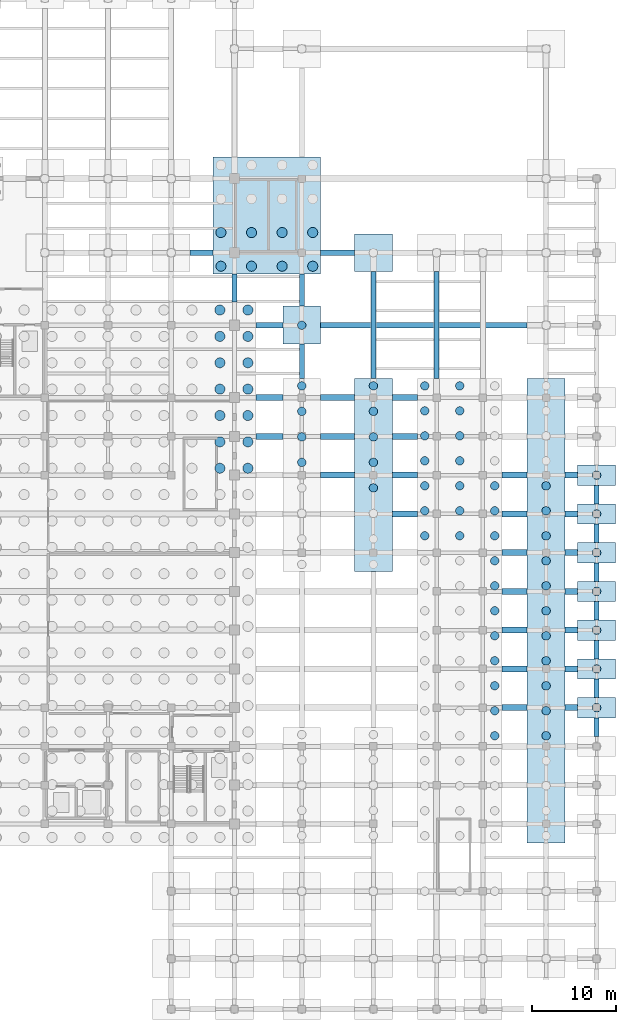
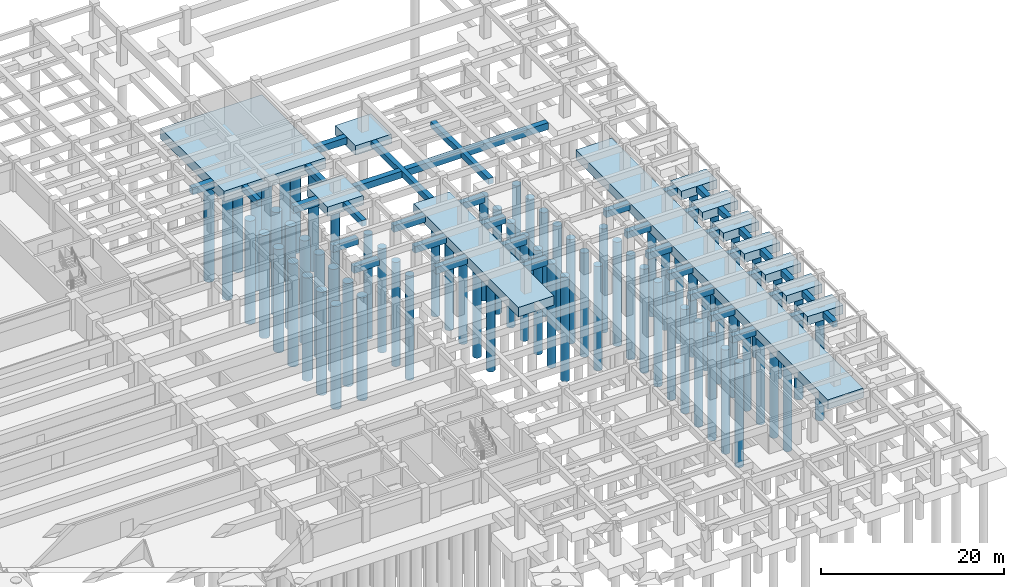
# One storey, part 9 of 32: 75 piles, 51 footings.
"""IFC4 building model written with IfcOpenShell, lengths in metres."""

import ifcopenshell
import ifcopenshell.guid

model = None  # the IFC model being written
_history = None  # IfcOwnerHistory: only IFC2X3 demands one
_inside = {}  # id of a spatial element -> (the spatial element, [elements in it])
_under = {}  # id of a project, library or spatial element -> (it, [spatial elements below it])
_declared = {}  # id of a project -> (the project, [libraries it declares])
_typed = {}  # id of a type object -> (the type object, [elements of that type])
_made_of = {}  # id of a material, layer set ... -> (it, [elements and type objects made of it])


def new_model(schema):
    """Start an empty IFC model of exactly this schema.

    Asked for "IFC4X3", IfcOpenShell would pick the latest addendum, in which some entities
    have other attributes; the version numbers below select the first issue.
    IFC2X3 requires an IfcOwnerHistory on every rooted entity: one is made here for all.
    """
    global model, _history
    if schema == "IFC4X3":
        model = ifcopenshell.file(schema_version=(4, 3, 0, 0))
    else:
        model = ifcopenshell.file(schema=schema)
    _inside.clear()
    _under.clear()
    _declared.clear()
    _typed.clear()
    _made_of.clear()
    _history = None
    if model.schema == "IFC2X3":
        org = make("IfcOrganization", Name="unknown")
        user = make(
            "IfcPersonAndOrganization",
            ThePerson=make("IfcPerson", FamilyName="unknown"),
            TheOrganization=org,
        )
        app = make(
            "IfcApplication",
            ApplicationDeveloper=org,
            Version="unknown",
            ApplicationFullName="unknown",
            ApplicationIdentifier="unknown",
        )
        _history = make(
            "IfcOwnerHistory",
            OwningUser=user,
            OwningApplication=app,
            ChangeAction="ADDED",
            CreationDate=0,
        )
    return model


def make(cls, **values):
    """One entity of the class cls with the attributes given. An attribute that is None is left unset."""
    return model.create_entity(
        cls, **{name: value for name, value in values.items() if value is not None}
    )


def rooted(cls, **values):
    """An entity with a GlobalId (a new one), such as an element, a storey or a relation."""
    return make(cls, GlobalId=ifcopenshell.guid.new(), OwnerHistory=_history, **values)


def si_unit(unit_type, name, prefix=None):
    """IfcSIUnit, for example si_unit("LENGTHUNIT", "METRE", prefix="MILLI")."""
    return make("IfcSIUnit", UnitType=unit_type, Prefix=prefix, Name=name)


def assignment(units):
    """IfcUnitAssignment: the units of a project."""
    return None if units is None else make("IfcUnitAssignment", Units=units)


def point(xyz):
    """IfcCartesianPoint."""
    return None if xyz is None else make("IfcCartesianPoint", Coordinates=xyz)


def direction(xyz):
    """IfcDirection."""
    return None if xyz is None else make("IfcDirection", DirectionRatios=xyz)


def frame(location, z_axis=None, x_axis=None):
    """IfcAxis2Placement3D, a coordinate frame: its origin and axes. An axis left out is left unset."""
    return make(
        "IfcAxis2Placement3D",
        Location=point(location),
        Axis=direction(z_axis),
        RefDirection=direction(x_axis),
    )


def frame_2d(location, x_axis=None):
    """IfcAxis2Placement2D, a coordinate frame in the plane: its origin and x axis."""
    return make(
        "IfcAxis2Placement2D", Location=point(location), RefDirection=direction(x_axis)
    )


def origin():
    """The frame at (0, 0, 0) with its axes left unset."""
    return frame((0.0, 0.0, 0.0))


def origin_2d():
    """The frame at (0, 0) in the plane with its x axis left unset."""
    return frame_2d((0.0, 0.0))


def place(relative_to, where):
    """IfcLocalPlacement: puts the frame where relative to a parent placement (None: the world)."""
    return make(
        "IfcLocalPlacement", PlacementRelTo=relative_to, RelativePlacement=where
    )


def context(
    kind, dimensions, precision=None, world=None, true_north=None, identifier=None
):
    """IfcGeometricRepresentationContext, for example the 3D "Model" context."""
    return make(
        "IfcGeometricRepresentationContext",
        ContextIdentifier=identifier,
        ContextType=kind,
        CoordinateSpaceDimension=dimensions,
        Precision=precision,
        WorldCoordinateSystem=world,
        TrueNorth=true_north,
    )


def subcontext(parent, identifier, kind, view, scale=None):
    """IfcGeometricRepresentationSubContext, for example "Body" below "Model"."""
    return make(
        "IfcGeometricRepresentationSubContext",
        ContextIdentifier=identifier,
        ContextType=kind,
        ParentContext=parent,
        TargetScale=scale,
        TargetView=view,
    )


def project(units=None, contexts=None):
    """IfcProject with its units and contexts."""
    return rooted(
        "IfcProject",
        Name="project",
        RepresentationContexts=contexts,
        UnitsInContext=assignment(units),
    )


def spatial(cls, under=None, at=None, **own):
    """A site, building, storey or space (cls), placed at a placement, below another one or the project."""
    s = rooted(cls, ObjectPlacement=at, **own)
    if under is not None:
        _under.setdefault(under.id(), (under, []))[1].append(s)
    return s


def profile(cls, at=None, kind="AREA", **sizes):
    """A parametric profile (cls). Its sizes go by their IFC names, for example OverallWidth=200.0."""
    return make(cls, ProfileType=kind, Position=at, **sizes)


def rectangle(**sizes):
    """IfcRectangleProfileDef."""
    return profile("IfcRectangleProfileDef", **sizes)


def circle(**sizes):
    """IfcCircleProfileDef."""
    return profile("IfcCircleProfileDef", **sizes)


def extrude(swept, where, along, depth):
    """IfcExtrudedAreaSolid: the profile swept, set in the frame where, extruded along a direction by depth."""
    return make(
        "IfcExtrudedAreaSolid",
        SweptArea=swept,
        Position=where,
        ExtrudedDirection=direction(along),
        Depth=depth,
    )


def shape(context_of_items, identifier, shape_type, items):
    """IfcShapeRepresentation: the items that make up one representation, for example the "Body"."""
    return make(
        "IfcShapeRepresentation",
        ContextOfItems=context_of_items,
        RepresentationIdentifier=identifier,
        RepresentationType=shape_type,
        Items=items,
    )


def material(Name=None, Category=None):
    """IfcMaterial."""
    return make("IfcMaterial", Name=Name, Category=Category)


def material_profile(
    of_material, cross_section, Name=None, Category=None, Priority=None
):
    """IfcMaterialProfile: a cross section and its material."""
    return make(
        "IfcMaterialProfile",
        Name=Name,
        Material=of_material,
        Profile=cross_section,
        Priority=Priority,
        Category=Category,
    )


def profile_set(profiles, Name=None, composite=None):
    """IfcMaterialProfileSet."""
    return make(
        "IfcMaterialProfileSet",
        Name=Name,
        MaterialProfiles=profiles,
        CompositeProfile=composite,
    )


def made_of(thing, what):
    """Note that an element or type object is made of a material, layer set ...; save() writes the relation."""
    if what is not None:
        _made_of.setdefault(what.id(), (what, []))[1].append(thing)
    return thing


def type_object(cls, material=None, **own):
    """A type object (cls), such as IfcWallType, which elements share."""
    return made_of(rooted(cls, **own), material)


def element(
    cls,
    number,
    at=None,
    inside=None,
    cuts=None,
    type_object=None,
    material=None,
    context=None,
    identifier="Body",
    shape_type=None,
    held_by="IfcProductDefinitionShape",
    body=None,
    shapes=None,
    **own,
):
    """One element of the class cls, such as IfcWall. Its Tag is "e" and its number.

    at: its placement. inside: the storey or other place that contains it. cuts: it is an
    opening in that element (IfcRelVoidsElement). A single representation is given by context,
    identifier, shape_type and body (its items); several are given by shapes. held_by: the class
    of the entity that holds the representations. save() writes the other relations.
    """
    e = rooted(cls, Tag="e%d" % number, ObjectPlacement=at, **own)
    if body is not None:
        shapes = [shape(context, identifier, shape_type, body)]
    if shapes is not None:
        e.Representation = make(held_by, Representations=shapes)
    if inside is not None:
        _inside.setdefault(inside.id(), (inside, []))[1].append(e)
    if cuts is not None:
        rooted(
            "IfcRelVoidsElement", RelatingBuildingElement=cuts, RelatedOpeningElement=e
        )
    if type_object is not None:
        _typed.setdefault(type_object.id(), (type_object, []))[1].append(e)
    return made_of(e, material)


def aggregate(whole, parts):
    """IfcRelAggregates: a whole, such as a stair, and the parts it consists of."""
    return rooted("IfcRelAggregates", RelatingObject=whole, RelatedObjects=parts)


def save(model, path):
    """Write the relations noted so far, then the file.

    IfcRelAggregates (storeys below a building ...), IfcRelContainedInSpatialStructure (elements
    in a storey), IfcRelDefinesByType, IfcRelAssociatesMaterial and IfcRelDeclares: one each for
    every whole, place, type object, material and project.
    """
    for whole, parts in _under.values():
        aggregate(whole, parts)
    for where, things in _inside.values():
        rooted(
            "IfcRelContainedInSpatialStructure",
            RelatedElements=things,
            RelatingStructure=where,
        )
    for kind, things in _typed.values():
        rooted("IfcRelDefinesByType", RelatedObjects=things, RelatingType=kind)
    for what, things in _made_of.values():
        rooted("IfcRelAssociatesMaterial", RelatedObjects=things, RelatingMaterial=what)
    for by, libraries in _declared.values():
        rooted("IfcRelDeclares", RelatingContext=by, RelatedDefinitions=libraries)
    model.write(path)


model = new_model("IFC4")

# Units and contexts
model_context = context("Model", 3, precision=1e-05, world=origin(), true_north=direction((0.0, 1.0)))
body_context = subcontext(model_context, "Body", "Model", "MODEL_VIEW")
ifc_project = project(units=[si_unit("LENGTHUNIT", "METRE"), si_unit("AREAUNIT", "SQUARE_METRE"), si_unit("VOLUMEUNIT", "CUBIC_METRE"), si_unit("PLANEANGLEUNIT", "RADIAN"), si_unit("MASSUNIT", "GRAM", prefix="KILO")], contexts=[model_context])

# Site, building, storey
site_placement = place(None, origin())
site = spatial("IfcSite", under=ifc_project, at=site_placement, CompositionType="ELEMENT")
building_placement = place(site_placement, origin())
building = spatial("IfcBuilding", under=site, at=building_placement, Name="Muzn Square Opera House", CompositionType="ELEMENT")
storey_placement = place(building_placement, frame((0.0, 0.0, -4.199951171875)))
storey = spatial("IfcBuildingStorey", under=building, at=storey_placement, Name="B1", CompositionType="ELEMENT", Elevation=-4.199951171875)

# Piles
ifc_material = material(Name="Concrete C40/50", Category="concrete")
ifc_material_profile_1 = material_profile(ifc_material, circle(Radius=0.5, at=origin_2d()), Name="BORED PILE D1000", Category="concrete")
ifc_profile_set_1 = profile_set([ifc_material_profile_1], Name="Concrete C40/50")
pile_type_1 = type_object("IfcPileType", Name="Bored Pile D1000", PredefinedType="BORED", material=ifc_profile_set_1)
for number, where, z_axis, x_axis, name in (
    (1, (155.60009765625, 56.199951171875, -1.570068359375), (0.0, 0.0, -1.0), (1.0, 0.0, 0.0), "Bored Pile BP-B1-BP-D1000-1556_562-624"),
    (2, (155.60009765625, 59.166748046875, -1.570068359375), (0.0, 0.0, -1.0), (1.0, 0.0, 0.0), "Bored Pile BP-B1-BP-D1000-1556_592-625"),
    (3, (155.60009765625, 62.13330078125, -1.570068359375), (0.0, 0.0, -1.0), (1.0, 0.0, 0.0), "Bored Pile BP-B1-BP-D1000-1556_621-626"),
    (4, (155.60009765625, 65.10009765625, -1.570068359375), (0.0, 0.0, -1.0), (1.0, 0.0, 0.0), "Bored Pile BP-B1-BP-D1000-1556_651-627"),
    (5, (155.60009765625, 68.066650390625, -1.570068359375), (0.0, 0.0, -1.0), (1.0, 0.0, 0.0), "Bored Pile BP-B1-BP-D1000-1556_681-628"),
    (6, (155.60009765625, 71.033203125, -1.570068359375), (0.0, 0.0, -1.0), (1.0, 0.0, 0.0), "Bored Pile BP-B1-BP-D1000-1556_710-629"),
    (7, (155.60009765625, 74.0, -1.570068359375), (0.0, 0.0, -1.0), (1.0, 0.0, 0.0), "Bored Pile BP-B1-BP-D1000-1556_740-630"),
    (8, (159.75, 56.199951171875, -1.570068359375), (0.0, 0.0, -1.0), (1.0, 0.0, 0.0), "Bored Pile BP-B1-BP-D1000-1598_562-643"),
    (9, (159.75, 59.166748046875, -1.570068359375), (0.0, 0.0, -1.0), (1.0, 0.0, 0.0), "Bored Pile BP-B1-BP-D1000-1598_592-644"),
    (10, (159.75, 62.13330078125, -1.570068359375), (0.0, 0.0, -1.0), (1.0, 0.0, 0.0), "Bored Pile BP-B1-BP-D1000-1598_621-645"),
    (11, (159.75, 65.10009765625, -1.570068359375), (0.0, 0.0, -1.0), (1.0, 0.0, 0.0), "Bored Pile BP-B1-BP-D1000-1598_651-646"),
    (12, (159.75, 68.066650390625, -1.570068359375), (0.0, 0.0, -1.0), (1.0, 0.0, 0.0), "Bored Pile BP-B1-BP-D1000-1598_681-647"),
    (13, (159.75, 71.033203125, -1.570068359375), (0.0, 0.0, -1.0), (1.0, 0.0, 0.0), "Bored Pile BP-B1-BP-D1000-1598_710-648"),
    (14, (159.75, 74.0, -1.570068359375), (0.0, 0.0, -1.0), (1.0, 0.0, 0.0), "Bored Pile BP-B1-BP-D1000-1598_740-649"),
    (15, (163.89990234375, 32.466796875, -1.570068359375), (0.0, 0.0, -1.0), (1.0, 0.0, 0.0), "Bored Pile BP-B1-BP-D1000-1639_325-654"),
    (16, (163.89990234375, 35.433349609375, -1.570068359375), (0.0, 0.0, -1.0), (1.0, 0.0, 0.0), "Bored Pile BP-B1-BP-D1000-1639_354-655"),
    (17, (163.89990234375, 38.39990234375, -1.570068359375), (0.0, 0.0, -1.0), (1.0, 0.0, 0.0), "Bored Pile BP-B1-BP-D1000-1639_384-656"),
    (18, (163.89990234375, 41.36669921875, -1.570068359375), (0.0, 0.0, -1.0), (1.0, 0.0, 0.0), "Bored Pile BP-B1-BP-D1000-1639_414-657"),
    (19, (163.89990234375, 44.333251953125, -1.570068359375), (0.0, 0.0, -1.0), (1.0, 0.0, 0.0), "Bored Pile BP-B1-BP-D1000-1639_443-658"),
    (20, (163.89990234375, 47.300048828125, -1.570068359375), (0.0, 0.0, -1.0), (1.0, 0.0, 0.0), "Bored Pile BP-B1-BP-D1000-1639_473-659"),
    (21, (163.89990234375, 50.2666015625, -1.570068359375), (0.0, 0.0, -1.0), (1.0, 0.0, 0.0), "Bored Pile BP-B1-BP-D1000-1639_503-660"),
    (22, (163.89990234375, 53.2333984375, -1.570068359375), (0.0, 0.0, -1.0), (1.0, 0.0, 0.0), "Bored Pile BP-B1-BP-D1000-1639_532-661"),
    (23, (163.89990234375, 56.199951171875, -1.570068359375), (0.0, 0.0, -1.0), (1.0, 0.0, 0.0), "Bored Pile BP-B1-BP-D1000-1639_562-662"),
    (24, (163.89990234375, 59.166748046875, -1.570068359375), (0.0, 0.0, -1.0), (1.0, 0.0, 0.0), "Bored Pile BP-B1-BP-D1000-1639_592-663"),
    (25, (163.89990234375, 62.13330078125, -1.570068359375), (0.0, 0.0, -1.0), (1.0, 0.0, 0.0), "Bored Pile BP-B1-BP-D1000-1639_621-664"),
    (26, (170.0, 32.466796875, -1.570068359375), (0.0, 0.0, -1.0), (1.0, 0.0, 0.0), "Bored Pile BP-B1-BP-D1000-1700_325-673"),
    (27, (170.0, 35.433349609375, -1.570068359375), (0.0, 0.0, -1.0), (1.0, 0.0, 0.0), "Bored Pile BP-B1-BP-D1000-1700_354-674"),
    (28, (170.0, 38.39990234375, -1.570068359375), (0.0, 0.0, -1.0), (1.0, 0.0, 0.0), "Bored Pile BP-B1-BP-D1000-1700_384-675"),
    (29, (170.0, 41.36669921875, -1.570068359375), (0.0, 0.0, -1.0), (1.0, 0.0, 0.0), "Bored Pile BP-B1-BP-D1000-1700_414-676"),
    (30, (170.0, 44.333251953125, -1.570068359375), (0.0, 0.0, -1.0), (1.0, 0.0, 0.0), "Bored Pile BP-B1-BP-D1000-1700_443-677"),
    (31, (170.0, 47.300048828125, -1.570068359375), (0.0, 0.0, -1.0), (1.0, 0.0, 0.0), "Bored Pile BP-B1-BP-D1000-1700_473-678"),
    (32, (170.0, 50.2666015625, -1.570068359375), (0.0, 0.0, -1.0), (1.0, 0.0, 0.0), "Bored Pile BP-B1-BP-D1000-1700_503-679"),
    (33, (170.0, 53.2333984375, -1.570068359375), (0.0, 0.0, -1.0), (1.0, 0.0, 0.0), "Bored Pile BP-B1-BP-D1000-1700_532-680"),
    (34, (170.0, 56.199951171875, -1.570068359375), (0.0, 0.0, -1.0), (1.0, 0.0, 0.0), "Bored Pile BP-B1-BP-D1000-1700_562-681"),
    (35, (170.0, 59.166748046875, -1.570068359375), (0.0, 0.0, -1.0), (1.0, 0.0, 0.0), "Bored Pile BP-B1-BP-D1000-1700_592-682"),
    (36, (170.0, 62.13330078125, -1.570068359375), (0.0, 0.0, -1.0), (1.0, 0.0, 0.0), "Bored Pile BP-B1-BP-D1000-1700_621-683"),
):
    element("IfcPile", number, at=place(storey_placement, frame(where, z_axis=z_axis, x_axis=x_axis)), inside=storey, type_object=pile_type_1, Name=name, PredefinedType="BORED", context=body_context, shape_type="SweptSolid", body=[
        extrude(circle(Radius=0.5, at=origin_2d()), origin(), (0.0, 0.0, 1.0), 13.929931640625),
    ])
for number, where, z_axis, x_axis, name in (
    (37, (176.0, 35.800048828125, -1.469970703125), (0.0, 0.0, -1.0), (1.0, 0.0, 0.0), "Bored Pile BP-B1-BP-D1000-1760_358-695"),
    (38, (176.0, 40.39990234375, -1.469970703125), (0.0, 0.0, -1.0), (1.0, 0.0, 0.0), "Bored Pile BP-B1-BP-D1000-1760_404-697"),
    (39, (176.0, 45.0, -1.469970703125), (0.0, 0.0, -1.0), (1.0, 0.0, 0.0), "Bored Pile BP-B1-BP-D1000-1760_450-699"),
    (40, (176.0, 49.60009765625, -1.469970703125), (0.0, 0.0, -1.0), (1.0, 0.0, 0.0), "Bored Pile BP-B1-BP-D1000-1760_496-701"),
):
    element("IfcPile", number, at=place(storey_placement, frame(where, z_axis=z_axis, x_axis=x_axis)), inside=storey, type_object=pile_type_1, Name=name, PredefinedType="BORED", context=body_context, shape_type="SweptSolid", body=[
        extrude(circle(Radius=0.5, at=origin_2d()), origin(), (0.0, 0.0, 1.0), 14.030029296875),
    ])
for number, where, z_axis, x_axis, name in (
    (41, (141.0, 64.914306640625, -1.570068359375), (0.0, 0.0, -1.0), (1.0, 0.0, 0.0), "Bored Pile BP-B1-BP-D1000-1410_649-722"),
    (42, (141.0, 67.94287109375, -1.570068359375), (0.0, 0.0, -1.0), (1.0, 0.0, 0.0), "Bored Pile BP-B1-BP-D1000-1410_679-723"),
    (43, (141.0, 70.971435546875, -1.570068359375), (0.0, 0.0, -1.0), (1.0, 0.0, 0.0), "Bored Pile BP-B1-BP-D1000-1410_710-724"),
    (44, (141.0, 74.0, -1.570068359375), (0.0, 0.0, -1.0), (1.0, 0.0, 0.0), "Bored Pile BP-B1-BP-D1000-1410_740-725"),
    (45, (149.5, 61.8857421875, -1.570068359375), (0.0, 0.0, -1.0), (1.0, 0.0, 0.0), "Bored Pile BP-B1-BP-D1000-1495_619-729"),
    (46, (149.5, 64.914306640625, -1.570068359375), (0.0, 0.0, -1.0), (1.0, 0.0, 0.0), "Bored Pile BP-B1-BP-D1000-1495_649-730"),
    (47, (149.5, 67.94287109375, -1.570068359375), (0.0, 0.0, -1.0), (1.0, 0.0, 0.0), "Bored Pile BP-B1-BP-D1000-1495_679-731"),
    (48, (149.5, 70.971435546875, -1.570068359375), (0.0, 0.0, -1.0), (1.0, 0.0, 0.0), "Bored Pile BP-B1-BP-D1000-1495_710-732"),
    (49, (149.5, 74.0, -1.570068359375), (0.0, 0.0, -1.0), (1.0, 0.0, 0.0), "Bored Pile BP-B1-BP-D1000-1495_740-733"),
):
    element("IfcPile", number, at=place(storey_placement, frame(where, z_axis=z_axis, x_axis=x_axis)), inside=storey, type_object=pile_type_1, Name=name, PredefinedType="BORED", context=body_context, shape_type="SweptSolid", body=[
        extrude(circle(Radius=0.5, at=origin_2d()), origin(), (0.0, 0.0, 1.0), 13.929931640625),
    ])
for number, where, z_axis, x_axis, name in (
    (50, (176.0, 54.199951171875, -1.469970703125), (0.0, 0.0, -1.0), (1.0, 0.0, 0.0), "Bored Pile BP-B1-BP-D1000-1760_542-735"),
    (51, (176.0, 58.800048828125, -1.469970703125), (0.0, 0.0, -1.0), (1.0, 0.0, 0.0), "Bored Pile BP-B1-BP-D1000-1760_588-737"),
    (52, (176.0, 63.39990234375, -1.469970703125), (0.0, 0.0, -1.0), (1.0, 0.0, 0.0), "Bored Pile BP-B1-BP-D1000-1760_634-739"),
):
    element("IfcPile", number, at=place(storey_placement, frame(where, z_axis=z_axis, x_axis=x_axis)), inside=storey, type_object=pile_type_1, Name=name, PredefinedType="BORED", context=body_context, shape_type="SweptSolid", body=[
        extrude(circle(Radius=0.5, at=origin_2d()), origin(), (0.0, 0.0, 1.0), 14.030029296875),
    ])
pile_placement = place(storey_placement, frame((141.0, 81.199951171875, -1.570068359375), z_axis=(0.0, 0.0, -1.0), x_axis=(1.0, 0.0, 0.0)))
element("IfcPile", 53, at=pile_placement, inside=storey, type_object=pile_type_1, Name="Bored Pile BP-B1-BP-D1000-1410_812-751", PredefinedType="BORED", context=body_context, shape_type="SweptSolid", body=[
    extrude(circle(Radius=0.5, at=origin_2d()), origin(), (0.0, 0.0, 1.0), 13.929931640625),
])
ifc_material_profile_2 = material_profile(ifc_material, circle(Radius=0.60009765625, at=origin_2d()), Name="BORED PILE D1200", Category="concrete")
ifc_profile_set_2 = profile_set([ifc_material_profile_2], Name="Concrete C40/50")
pile_type_2 = type_object("IfcPileType", Name="Bored Pile D1200", PredefinedType="BORED", material=ifc_profile_set_2)
for number, where, z_axis, x_axis, name in (
    (54, (131.280029296875, 64.219970703125, -1.719970703125), (0.0, 0.0, -1.0), (1.0, 0.0, 0.0), "Bored Pile BP-B1-BP-D1200-1313_642-485"),
    (55, (131.280029296875, 67.35009765625, -1.719970703125), (0.0, 0.0, -1.0), (1.0, 0.0, 0.0), "Bored Pile BP-B1-BP-D1200-1313_674-486"),
    (56, (131.280029296875, 70.47998046875, -1.719970703125), (0.0, 0.0, -1.0), (1.0, 0.0, 0.0), "Bored Pile BP-B1-BP-D1200-1313_705-487"),
    (57, (131.280029296875, 73.610107421875, -1.719970703125), (0.0, 0.0, -1.0), (1.0, 0.0, 0.0), "Bored Pile BP-B1-BP-D1200-1313_736-488"),
    (58, (131.280029296875, 76.739990234375, -1.719970703125), (0.0, 0.0, -1.0), (1.0, 0.0, 0.0), "Bored Pile BP-B1-BP-D1200-1313_767-489"),
    (59, (131.280029296875, 79.8701171875, -1.719970703125), (0.0, 0.0, -1.0), (1.0, 0.0, 0.0), "Bored Pile BP-B1-BP-D1200-1313_799-490"),
    (60, (131.280029296875, 83.0, -1.719970703125), (0.0, 0.0, -1.0), (1.0, 0.0, 0.0), "Bored Pile BP-B1-BP-D1200-1313_830-491"),
    (61, (134.60009765625, 64.219970703125, -1.719970703125), (0.0, 0.0, -1.0), (1.0, 0.0, 0.0), "Bored Pile BP-B1-BP-D1200-1346_642-506"),
    (62, (134.60009765625, 67.35009765625, -1.719970703125), (0.0, 0.0, -1.0), (1.0, 0.0, 0.0), "Bored Pile BP-B1-BP-D1200-1346_674-507"),
    (63, (134.60009765625, 70.47998046875, -1.719970703125), (0.0, 0.0, -1.0), (1.0, 0.0, 0.0), "Bored Pile BP-B1-BP-D1200-1346_705-508"),
    (64, (134.60009765625, 73.610107421875, -1.719970703125), (0.0, 0.0, -1.0), (1.0, 0.0, 0.0), "Bored Pile BP-B1-BP-D1200-1346_736-509"),
    (65, (134.60009765625, 76.739990234375, -1.719970703125), (0.0, 0.0, -1.0), (1.0, 0.0, 0.0), "Bored Pile BP-B1-BP-D1200-1346_767-510"),
    (66, (134.60009765625, 79.8701171875, -1.719970703125), (0.0, 0.0, -1.0), (1.0, 0.0, 0.0), "Bored Pile BP-B1-BP-D1200-1346_799-511"),
    (67, (134.60009765625, 83.0, -1.719970703125), (0.0, 0.0, -1.0), (1.0, 0.0, 0.0), "Bored Pile BP-B1-BP-D1200-1346_830-512"),
    (68, (131.39990234375, 88.199951171875, -1.719970703125), (0.0, 0.0, -1.0), (1.0, 0.0, 0.0), "Bored Pile BP-B1-BP-D1200-1314_882-759"),
    (69, (131.39990234375, 92.199951171875, -1.719970703125), (0.0, 0.0, -1.0), (1.0, 0.0, 0.0), "Bored Pile BP-B1-BP-D1200-1314_922-760"),
    (70, (135.033203125, 88.199951171875, -1.719970703125), (0.0, 0.0, -1.0), (1.0, 0.0, 0.0), "Bored Pile BP-B1-BP-D1200-1350_882-763"),
    (71, (135.033203125, 92.199951171875, -1.719970703125), (0.0, 0.0, -1.0), (1.0, 0.0, 0.0), "Bored Pile BP-B1-BP-D1200-1350_922-764"),
    (72, (138.666748046875, 88.199951171875, -1.719970703125), (0.0, 0.0, -1.0), (1.0, 0.0, 0.0), "Bored Pile BP-B1-BP-D1200-1387_882-767"),
    (73, (138.666748046875, 92.199951171875, -1.719970703125), (0.0, 0.0, -1.0), (1.0, 0.0, 0.0), "Bored Pile BP-B1-BP-D1200-1387_922-768"),
    (74, (142.300048828125, 88.199951171875, -1.719970703125), (0.0, 0.0, -1.0), (1.0, 0.0, 0.0), "Bored Pile BP-B1-BP-D1200-1423_882-771"),
    (75, (142.300048828125, 92.199951171875, -1.719970703125), (0.0, 0.0, -1.0), (1.0, 0.0, 0.0), "Bored Pile BP-B1-BP-D1200-1423_922-772"),
):
    element("IfcPile", number, at=place(storey_placement, frame(where, z_axis=z_axis, x_axis=x_axis)), inside=storey, type_object=pile_type_2, Name=name, PredefinedType="BORED", context=body_context, shape_type="SweptSolid", body=[
        extrude(circle(Radius=0.60009765625, at=origin_2d()), origin(), (0.0, 0.0, 1.0), 13.780029296875),
    ])

# Footings
ifc_material_profile_3 = material_profile(ifc_material, rectangle(XDim=0.60009765625, YDim=0.800048828125, at=origin_2d()), Name="RCTB 600x800", Category="concrete")
ifc_profile_set_3 = profile_set([ifc_material_profile_3], Name="Concrete C40/50")
footing_type_1 = type_object("IfcFootingType", Name="Foundation Tie Beam 600x800", PredefinedType="FOOTING_BEAM", material=ifc_profile_set_3)
footing_1_placement = place(storey_placement, frame((133.0, 83.949951171875, -0.820068359375), z_axis=(0.0, 1.0, 0.0), x_axis=(-1.0, 0.0, 0.0)))
element("IfcFooting", 76, at=footing_1_placement, inside=storey, type_object=footing_type_1, Name="Foundation Tie Beam FTB-Y310", PredefinedType="FOOTING_BEAM", context=body_context, shape_type="SweptSolid", body=[
    extrude(rectangle(XDim=0.60009765625, YDim=0.800048828125, at=origin_2d()), origin(), (0.0, 0.0, 1.0), 3.300048828125),
])
footing_2_placement = place(storey_placement, frame((141.0, 74.85009765625, -0.820068359375), z_axis=(0.0, 1.0, 0.0), x_axis=(-1.0, 0.0, 0.0)))
element("IfcFooting", 77, at=footing_2_placement, inside=storey, type_object=footing_type_1, Name="Foundation Tie Beam FTB-Y317", PredefinedType="FOOTING_BEAM", context=body_context, shape_type="SweptSolid", body=[
    extrude(rectangle(XDim=0.60009765625, YDim=0.800048828125, at=origin_2d()), origin(), (0.0, 0.0, 1.0), 4.099853515625),
])
footing_3_placement = place(storey_placement, frame((141.0, 83.449951171875, -0.820068359375), z_axis=(0.0, 1.0, 0.0), x_axis=(-1.0, 0.0, 0.0)))
element("IfcFooting", 78, at=footing_3_placement, inside=storey, type_object=footing_type_1, Name="Foundation Tie Beam FTB-Y318", PredefinedType="FOOTING_BEAM", context=body_context, shape_type="SweptSolid", body=[
    extrude(rectangle(XDim=0.60009765625, YDim=0.800048828125, at=origin_2d()), origin(), (0.0, 0.0, 1.0), 3.800048828125),
])
for number, where, z_axis, x_axis, name in (
    (79, (149.5, 74.85009765625, -0.820068359375), (0.0, 1.0, 0.0), (-1.0, 0.0, 0.0), "Foundation Tie Beam FTB-Y324"),
    (80, (157.0, 74.85009765625, -0.820068359375), (0.0, 1.0, 0.0), (-1.0, 0.0, 0.0), "Foundation Tie Beam FTB-Y328"),
):
    element("IfcFooting", number, at=place(storey_placement, frame(where, z_axis=z_axis, x_axis=x_axis)), inside=storey, type_object=footing_type_1, Name=name, PredefinedType="FOOTING_BEAM", context=body_context, shape_type="SweptSolid", body=[
        extrude(rectangle(XDim=0.60009765625, YDim=0.800048828125, at=origin_2d()), origin(), (0.0, 0.0, 1.0), 12.699951171875),
    ])
footing_4_placement = place(storey_placement, frame((176.0, 32.39990234375, -0.820068359375), z_axis=(0.0, 1.0, 0.0), x_axis=(-1.0, 0.0, 0.0)))
element("IfcFooting", 81, at=footing_4_placement, inside=storey, type_object=footing_type_1, Name="Foundation Tie Beam FTB-Y345", PredefinedType="FOOTING_BEAM", context=body_context, shape_type="SweptSolid", body=[
    extrude(rectangle(XDim=0.60009765625, YDim=0.800048828125, at=origin_2d()), origin(), (0.0, 0.0, 1.0), 2.2001953125),
])
for number, where, z_axis, x_axis, name in (
    (82, (176.0, 37.0, -0.820068359375), (0.0, 1.0, 0.0), (-1.0, 0.0, 0.0), "Foundation Tie Beam FTB-Y346"),
    (83, (176.0, 41.60009765625, -0.820068359375), (0.0, 1.0, 0.0), (-1.0, 0.0, 0.0), "Foundation Tie Beam FTB-Y347"),
    (84, (176.0, 46.199951171875, -0.820068359375), (0.0, 1.0, 0.0), (-1.0, 0.0, 0.0), "Foundation Tie Beam FTB-Y348"),
    (85, (176.0, 50.800048828125, -0.820068359375), (0.0, 1.0, 0.0), (-1.0, 0.0, 0.0), "Foundation Tie Beam FTB-Y349"),
):
    element("IfcFooting", number, at=place(storey_placement, frame(where, z_axis=z_axis, x_axis=x_axis)), inside=storey, type_object=footing_type_1, Name=name, PredefinedType="FOOTING_BEAM", context=body_context, shape_type="SweptSolid", body=[
        extrude(rectangle(XDim=0.60009765625, YDim=0.800048828125, at=origin_2d()), origin(), (0.0, 0.0, 1.0), 2.199951171875),
    ])
footing_5_placement = place(storey_placement, frame((176.0, 55.39990234375, -0.820068359375), z_axis=(0.0, 1.0, 0.0), x_axis=(-1.0, 0.0, 0.0)))
element("IfcFooting", 86, at=footing_5_placement, inside=storey, type_object=footing_type_1, Name="Foundation Tie Beam FTB-Y350", PredefinedType="FOOTING_BEAM", context=body_context, shape_type="SweptSolid", body=[
    extrude(rectangle(XDim=0.60009765625, YDim=0.800048828125, at=origin_2d()), origin(), (0.0, 0.0, 1.0), 2.2001953125),
])
footing_6_placement = place(storey_placement, frame((176.0, 60.0, -0.820068359375), z_axis=(0.0, 1.0, 0.0), x_axis=(-1.0, 0.0, 0.0)))
element("IfcFooting", 87, at=footing_6_placement, inside=storey, type_object=footing_type_1, Name="Foundation Tie Beam FTB-Y351", PredefinedType="FOOTING_BEAM", context=body_context, shape_type="SweptSolid", body=[
    extrude(rectangle(XDim=0.60009765625, YDim=0.800048828125, at=origin_2d()), origin(), (0.0, 0.0, 1.0), 2.199951171875),
])
ifc_material_profile_4 = material_profile(ifc_material, rectangle(XDim=0.699951171875, YDim=0.89990234375, at=origin_2d()), Name="RCTB 700x900", Category="concrete")
ifc_profile_set_4 = profile_set([ifc_material_profile_4], Name="Concrete C40/50")
footing_type_2 = type_object("IfcFootingType", Name="Foundation Tie Beam 700x900", PredefinedType="FOOTING_BEAM", material=ifc_profile_set_4)
footing_7_placement = place(storey_placement, frame((164.75, 35.800048828125, -0.8701171875), z_axis=(1.0, 0.0, 0.0), x_axis=(0.0, 1.0, 0.0)))
element("IfcFooting", 88, at=footing_7_placement, inside=storey, type_object=footing_type_2, Name="Foundation Tie Beam FTB-X082", PredefinedType="FOOTING_BEAM", context=body_context, shape_type="SweptSolid", body=[
    extrude(rectangle(XDim=0.699951171875, YDim=0.89990234375, at=origin_2d()), origin(), (0.0, 0.0, 1.0), 3.0),
])
footing_8_placement = place(storey_placement, frame((172.25, 35.800048828125, -0.8701171875), z_axis=(1.0, 0.0, 0.0), x_axis=(0.0, 1.0, 0.0)))
element("IfcFooting", 89, at=footing_8_placement, inside=storey, type_object=footing_type_2, Name="Foundation Tie Beam FTB-X083", PredefinedType="FOOTING_BEAM", context=body_context, shape_type="SweptSolid", body=[
    extrude(rectangle(XDim=0.699951171875, YDim=0.89990234375, at=origin_2d()), origin(), (0.0, 0.0, 1.0), 1.5),
])
footing_9_placement = place(storey_placement, frame((164.75, 40.39990234375, -0.8701171875), z_axis=(1.0, 0.0, 0.0), x_axis=(0.0, 1.0, 0.0)))
element("IfcFooting", 90, at=footing_9_placement, inside=storey, type_object=footing_type_2, Name="Foundation Tie Beam FTB-X089", PredefinedType="FOOTING_BEAM", context=body_context, shape_type="SweptSolid", body=[
    extrude(rectangle(XDim=0.699951171875, YDim=0.89990234375, at=origin_2d()), origin(), (0.0, 0.0, 1.0), 3.0),
])
footing_10_placement = place(storey_placement, frame((172.25, 40.39990234375, -0.8701171875), z_axis=(1.0, 0.0, 0.0), x_axis=(0.0, 1.0, 0.0)))
element("IfcFooting", 91, at=footing_10_placement, inside=storey, type_object=footing_type_2, Name="Foundation Tie Beam FTB-X090", PredefinedType="FOOTING_BEAM", context=body_context, shape_type="SweptSolid", body=[
    extrude(rectangle(XDim=0.699951171875, YDim=0.89990234375, at=origin_2d()), origin(), (0.0, 0.0, 1.0), 1.5),
])
footing_11_placement = place(storey_placement, frame((164.75, 45.0, -0.8701171875), z_axis=(1.0, 0.0, 0.0), x_axis=(0.0, 1.0, 0.0)))
element("IfcFooting", 92, at=footing_11_placement, inside=storey, type_object=footing_type_2, Name="Foundation Tie Beam FTB-X096", PredefinedType="FOOTING_BEAM", context=body_context, shape_type="SweptSolid", body=[
    extrude(rectangle(XDim=0.699951171875, YDim=0.89990234375, at=origin_2d()), origin(), (0.0, 0.0, 1.0), 3.0),
])
footing_12_placement = place(storey_placement, frame((172.25, 45.0, -0.8701171875), z_axis=(1.0, 0.0, 0.0), x_axis=(0.0, 1.0, 0.0)))
element("IfcFooting", 93, at=footing_12_placement, inside=storey, type_object=footing_type_2, Name="Foundation Tie Beam FTB-X097", PredefinedType="FOOTING_BEAM", context=body_context, shape_type="SweptSolid", body=[
    extrude(rectangle(XDim=0.699951171875, YDim=0.89990234375, at=origin_2d()), origin(), (0.0, 0.0, 1.0), 1.5),
])
footing_13_placement = place(storey_placement, frame((164.75, 49.60009765625, -0.8701171875), z_axis=(1.0, 0.0, 0.0), x_axis=(0.0, 1.0, 0.0)))
element("IfcFooting", 94, at=footing_13_placement, inside=storey, type_object=footing_type_2, Name="Foundation Tie Beam FTB-X103", PredefinedType="FOOTING_BEAM", context=body_context, shape_type="SweptSolid", body=[
    extrude(rectangle(XDim=0.699951171875, YDim=0.89990234375, at=origin_2d()), origin(), (0.0, 0.0, 1.0), 3.0),
])
footing_14_placement = place(storey_placement, frame((172.25, 49.60009765625, -0.8701171875), z_axis=(1.0, 0.0, 0.0), x_axis=(0.0, 1.0, 0.0)))
element("IfcFooting", 95, at=footing_14_placement, inside=storey, type_object=footing_type_2, Name="Foundation Tie Beam FTB-X104", PredefinedType="FOOTING_BEAM", context=body_context, shape_type="SweptSolid", body=[
    extrude(rectangle(XDim=0.699951171875, YDim=0.89990234375, at=origin_2d()), origin(), (0.0, 0.0, 1.0), 1.5),
])
footing_15_placement = place(storey_placement, frame((164.75, 54.199951171875, -0.8701171875), z_axis=(1.0, 0.0, 0.0), x_axis=(0.0, 1.0, 0.0)))
element("IfcFooting", 96, at=footing_15_placement, inside=storey, type_object=footing_type_2, Name="Foundation Tie Beam FTB-X114", PredefinedType="FOOTING_BEAM", context=body_context, shape_type="SweptSolid", body=[
    extrude(rectangle(XDim=0.699951171875, YDim=0.89990234375, at=origin_2d()), origin(), (0.0, 0.0, 1.0), 3.0),
])
footing_16_placement = place(storey_placement, frame((172.25, 54.199951171875, -0.8701171875), z_axis=(1.0, 0.0, 0.0), x_axis=(0.0, 1.0, 0.0)))
element("IfcFooting", 97, at=footing_16_placement, inside=storey, type_object=footing_type_2, Name="Foundation Tie Beam FTB-X115", PredefinedType="FOOTING_BEAM", context=body_context, shape_type="SweptSolid", body=[
    extrude(rectangle(XDim=0.699951171875, YDim=0.89990234375, at=origin_2d()), origin(), (0.0, 0.0, 1.0), 1.5),
])
for number, where, z_axis, x_axis, name in (
    (98, (151.75, 58.800048828125, -0.8701171875), (1.0, 0.0, 0.0), (0.0, 1.0, 0.0), "Foundation Tie Beam FTB-X124"),
    (99, (164.75, 58.800048828125, -0.8701171875), (1.0, 0.0, 0.0), (0.0, 1.0, 0.0), "Foundation Tie Beam FTB-X125"),
):
    element("IfcFooting", number, at=place(storey_placement, frame(where, z_axis=z_axis, x_axis=x_axis)), inside=storey, type_object=footing_type_2, Name=name, PredefinedType="FOOTING_BEAM", context=body_context, shape_type="SweptSolid", body=[
        extrude(rectangle(XDim=0.699951171875, YDim=0.89990234375, at=origin_2d()), origin(), (0.0, 0.0, 1.0), 3.0),
    ])
footing_17_placement = place(storey_placement, frame((172.25, 58.800048828125, -0.8701171875), z_axis=(1.0, 0.0, 0.0), x_axis=(0.0, 1.0, 0.0)))
element("IfcFooting", 100, at=footing_17_placement, inside=storey, type_object=footing_type_2, Name="Foundation Tie Beam FTB-X126", PredefinedType="FOOTING_BEAM", context=body_context, shape_type="SweptSolid", body=[
    extrude(rectangle(XDim=0.699951171875, YDim=0.89990234375, at=origin_2d()), origin(), (0.0, 0.0, 1.0), 1.5),
])
footing_18_placement = place(storey_placement, frame((143.25, 63.39990234375, -0.8701171875), z_axis=(1.0, 0.0, 0.0), x_axis=(0.0, 1.0, 0.0)))
element("IfcFooting", 101, at=footing_18_placement, inside=storey, type_object=footing_type_2, Name="Foundation Tie Beam FTB-X134", PredefinedType="FOOTING_BEAM", context=body_context, shape_type="SweptSolid", body=[
    extrude(rectangle(XDim=0.699951171875, YDim=0.89990234375, at=origin_2d()), origin(), (0.0, 0.0, 1.0), 4.0),
])
for number, where, z_axis, x_axis, name in (
    (102, (151.75, 63.39990234375, -0.8701171875), (1.0, 0.0, 0.0), (0.0, 1.0, 0.0), "Foundation Tie Beam FTB-X135"),
    (103, (164.75, 63.39990234375, -0.8701171875), (1.0, 0.0, 0.0), (0.0, 1.0, 0.0), "Foundation Tie Beam FTB-X136"),
):
    element("IfcFooting", number, at=place(storey_placement, frame(where, z_axis=z_axis, x_axis=x_axis)), inside=storey, type_object=footing_type_2, Name=name, PredefinedType="FOOTING_BEAM", context=body_context, shape_type="SweptSolid", body=[
        extrude(rectangle(XDim=0.699951171875, YDim=0.89990234375, at=origin_2d()), origin(), (0.0, 0.0, 1.0), 3.0),
    ])
footing_19_placement = place(storey_placement, frame((172.25, 63.39990234375, -0.8701171875), z_axis=(1.0, 0.0, 0.0), x_axis=(0.0, 1.0, 0.0)))
element("IfcFooting", 104, at=footing_19_placement, inside=storey, type_object=footing_type_2, Name="Foundation Tie Beam FTB-X137", PredefinedType="FOOTING_BEAM", context=body_context, shape_type="SweptSolid", body=[
    extrude(rectangle(XDim=0.699951171875, YDim=0.89990234375, at=origin_2d()), origin(), (0.0, 0.0, 1.0), 1.5),
])
footing_20_placement = place(storey_placement, frame((135.550048828125, 68.0, -0.8701171875), z_axis=(1.0, 0.0, 0.0), x_axis=(0.0, 1.0, 0.0)))
element("IfcFooting", 105, at=footing_20_placement, inside=storey, type_object=footing_type_2, Name="Foundation Tie Beam FTB-X144", PredefinedType="FOOTING_BEAM", context=body_context, shape_type="SweptSolid", body=[
    extrude(rectangle(XDim=0.699951171875, YDim=0.89990234375, at=origin_2d()), origin(), (0.0, 0.0, 1.0), 3.199951171875),
])
footing_21_placement = place(storey_placement, frame((143.25, 68.0, -0.8701171875), z_axis=(1.0, 0.0, 0.0), x_axis=(0.0, 1.0, 0.0)))
element("IfcFooting", 106, at=footing_21_placement, inside=storey, type_object=footing_type_2, Name="Foundation Tie Beam FTB-X145", PredefinedType="FOOTING_BEAM", context=body_context, shape_type="SweptSolid", body=[
    extrude(rectangle(XDim=0.699951171875, YDim=0.89990234375, at=origin_2d()), origin(), (0.0, 0.0, 1.0), 4.0),
])
footing_22_placement = place(storey_placement, frame((151.75, 68.0, -0.8701171875), z_axis=(1.0, 0.0, 0.0), x_axis=(0.0, 1.0, 0.0)))
element("IfcFooting", 107, at=footing_22_placement, inside=storey, type_object=footing_type_2, Name="Foundation Tie Beam FTB-X146", PredefinedType="FOOTING_BEAM", context=body_context, shape_type="SweptSolid", body=[
    extrude(rectangle(XDim=0.699951171875, YDim=0.89990234375, at=origin_2d()), origin(), (0.0, 0.0, 1.0), 3.0),
])
footing_23_placement = place(storey_placement, frame((135.550048828125, 72.60009765625, -0.8701171875), z_axis=(1.0, 0.0, 0.0), x_axis=(0.0, 1.0, 0.0)))
element("IfcFooting", 108, at=footing_23_placement, inside=storey, type_object=footing_type_2, Name="Foundation Tie Beam FTB-X158", PredefinedType="FOOTING_BEAM", context=body_context, shape_type="SweptSolid", body=[
    extrude(rectangle(XDim=0.699951171875, YDim=0.89990234375, at=origin_2d()), origin(), (0.0, 0.0, 1.0), 3.199951171875),
])
footing_24_placement = place(storey_placement, frame((143.25, 72.60009765625, -0.8701171875), z_axis=(1.0, 0.0, 0.0), x_axis=(0.0, 1.0, 0.0)))
element("IfcFooting", 109, at=footing_24_placement, inside=storey, type_object=footing_type_2, Name="Foundation Tie Beam FTB-X159", PredefinedType="FOOTING_BEAM", context=body_context, shape_type="SweptSolid", body=[
    extrude(rectangle(XDim=0.699951171875, YDim=0.89990234375, at=origin_2d()), origin(), (0.0, 0.0, 1.0), 4.0),
])
footing_25_placement = place(storey_placement, frame((151.75, 72.60009765625, -0.8701171875), z_axis=(1.0, 0.0, 0.0), x_axis=(0.0, 1.0, 0.0)))
element("IfcFooting", 110, at=footing_25_placement, inside=storey, type_object=footing_type_2, Name="Foundation Tie Beam FTB-X160", PredefinedType="FOOTING_BEAM", context=body_context, shape_type="SweptSolid", body=[
    extrude(rectangle(XDim=0.699951171875, YDim=0.89990234375, at=origin_2d()), origin(), (0.0, 0.0, 1.0), 3.0),
])
footing_26_placement = place(storey_placement, frame((135.550048828125, 81.199951171875, -0.8701171875), z_axis=(1.0, 0.0, 0.0), x_axis=(0.0, 1.0, 0.0)))
element("IfcFooting", 111, at=footing_26_placement, inside=storey, type_object=footing_type_2, Name="Foundation Tie Beam FTB-X169", PredefinedType="FOOTING_BEAM", context=body_context, shape_type="SweptSolid", body=[
    extrude(rectangle(XDim=0.699951171875, YDim=0.89990234375, at=origin_2d()), origin(), (0.0, 0.0, 1.0), 3.199951171875),
])
footing_27_placement = place(storey_placement, frame((143.25, 81.199951171875, -0.8701171875), z_axis=(1.0, 0.0, 0.0), x_axis=(0.0, 1.0, 0.0)))
element("IfcFooting", 112, at=footing_27_placement, inside=storey, type_object=footing_type_2, Name="Foundation Tie Beam FTB-X170", PredefinedType="FOOTING_BEAM", context=body_context, shape_type="SweptSolid", body=[
    extrude(rectangle(XDim=0.699951171875, YDim=0.89990234375, at=origin_2d()), origin(), (0.0, 0.0, 1.0), 24.5),
])
footing_28_placement = place(storey_placement, frame((127.75, 89.800048828125, -0.8701171875), z_axis=(1.0, 0.0, 0.0), x_axis=(0.0, 1.0, 0.0)))
element("IfcFooting", 113, at=footing_28_placement, inside=storey, type_object=footing_type_2, Name="Foundation Tie Beam FTB-X181", PredefinedType="FOOTING_BEAM", context=body_context, shape_type="SweptSolid", body=[
    extrude(rectangle(XDim=0.699951171875, YDim=0.89990234375, at=origin_2d()), origin(), (0.0, 0.0, 1.0), 2.699951171875),
])
footing_29_placement = place(storey_placement, frame((143.25, 89.800048828125, -0.8701171875), z_axis=(1.0, 0.0, 0.0), x_axis=(0.0, 1.0, 0.0)))
element("IfcFooting", 114, at=footing_29_placement, inside=storey, type_object=footing_type_2, Name="Foundation Tie Beam FTB-X182", PredefinedType="FOOTING_BEAM", context=body_context, shape_type="SweptSolid", body=[
    extrude(rectangle(XDim=0.699951171875, YDim=0.89990234375, at=origin_2d()), origin(), (0.0, 0.0, 1.0), 4.0),
])
footing_type_3 = type_object("IfcFootingType", Name="Pile Cap 13900x12800x1400", PredefinedType="PILE_CAP", material=ifc_material)
footing_30_placement = place(storey_placement, frame((136.85009765625, 94.199951171875, -1.820068359375), z_axis=(0.0, 0.0, 1.0), x_axis=(1.0, 0.0, 0.0)))
element("IfcFooting", 115, at=footing_30_placement, inside=storey, type_object=footing_type_3, Name="Pile Cap PC-B1-100", PredefinedType="PILE_CAP", context=body_context, shape_type="SweptSolid", body=[
    extrude(rectangle(XDim=12.800048828125, YDim=13.89990234375, at=origin_2d()), origin(), (0.0, 0.0, 1.0), 1.39990234375),
])
footing_type_4 = type_object("IfcFootingType", Name="Pile Cap 22900x4500x1250", PredefinedType="PILE_CAP", material=ifc_material)
footing_31_placement = place(storey_placement, frame((149.5, 63.39990234375, -1.670166015625), z_axis=(0.0, 0.0, 1.0), x_axis=(1.0, 0.0, 0.0)))
element("IfcFooting", 116, at=footing_31_placement, inside=storey, type_object=footing_type_4, Name="Pile Cap PC-B1-077", PredefinedType="PILE_CAP", context=body_context, shape_type="SweptSolid", body=[
    extrude(rectangle(XDim=4.5, YDim=22.89990234375, at=origin_2d()), origin(), (0.0, 0.0, 1.0), 1.25),
])
footing_type_5 = type_object("IfcFootingType", Name="Pile Cap 4500x2400x1150", PredefinedType="PILE_CAP", material=ifc_material)
for number, where, z_axis, x_axis, name in (
    (117, (176.0, 35.800048828125, -1.570068359375), (0.0, 0.0, 1.0), (1.0, 0.0, 0.0), "Pile Cap PC-B1-067"),
    (118, (176.0, 40.39990234375, -1.570068359375), (0.0, 0.0, 1.0), (1.0, 0.0, 0.0), "Pile Cap PC-B1-069"),
    (119, (176.0, 45.0, -1.570068359375), (0.0, 0.0, 1.0), (1.0, 0.0, 0.0), "Pile Cap PC-B1-071"),
    (120, (176.0, 49.60009765625, -1.570068359375), (0.0, 0.0, 1.0), (1.0, 0.0, 0.0), "Pile Cap PC-B1-073"),
    (121, (176.0, 54.199951171875, -1.570068359375), (0.0, 0.0, 1.0), (1.0, 0.0, 0.0), "Pile Cap PC-B1-079"),
    (122, (176.0, 58.800048828125, -1.570068359375), (0.0, 0.0, 1.0), (1.0, 0.0, 0.0), "Pile Cap PC-B1-081"),
    (123, (176.0, 63.39990234375, -1.570068359375), (0.0, 0.0, 1.0), (1.0, 0.0, 0.0), "Pile Cap PC-B1-083"),
):
    element("IfcFooting", number, at=place(storey_placement, frame(where, z_axis=z_axis, x_axis=x_axis)), inside=storey, type_object=footing_type_5, Name=name, PredefinedType="PILE_CAP", context=body_context, shape_type="SweptSolid", body=[
        extrude(rectangle(XDim=4.5, YDim=2.39990234375, at=origin_2d()), origin(), (0.0, 0.0, 1.0), 1.14990234375),
    ])
footing_type_6 = type_object("IfcFootingType", Name="Pile Cap 4500x4500x1250", PredefinedType="PILE_CAP", material=ifc_material)
for number, where, z_axis, x_axis, name in (
    (124, (141.0, 81.199951171875, -1.670166015625), (0.0, 0.0, 1.0), (1.0, 0.0, 0.0), "Pile Cap PC-B1-095"),
    (125, (149.5, 89.800048828125, -1.670166015625), (0.0, 0.0, 1.0), (1.0, 0.0, 0.0), "Pile Cap PC-B1-110"),
):
    element("IfcFooting", number, at=place(storey_placement, frame(where, z_axis=z_axis, x_axis=x_axis)), inside=storey, type_object=footing_type_6, Name=name, PredefinedType="PILE_CAP", context=body_context, shape_type="SweptSolid", body=[
        extrude(rectangle(XDim=4.5, YDim=4.5, at=origin_2d()), origin(), (0.0, 0.0, 1.0), 1.25),
    ])
footing_type_7 = type_object("IfcFootingType", Name="Pile Cap 55100x4500x1250", PredefinedType="PILE_CAP", material=ifc_material)
footing_32_placement = place(storey_placement, frame((170.0, 47.300048828125, -1.670166015625), z_axis=(0.0, 0.0, 1.0), x_axis=(1.0, 0.0, 0.0)))
element("IfcFooting", 126, at=footing_32_placement, inside=storey, type_object=footing_type_7, Name="Pile Cap PC-B1-059", PredefinedType="PILE_CAP", context=body_context, shape_type="SweptSolid", body=[
    extrude(rectangle(XDim=4.5, YDim=55.10009765625, at=origin_2d()), origin(), (0.0, 0.0, 1.0), 1.25),
])

save(model, "model.ifc")
